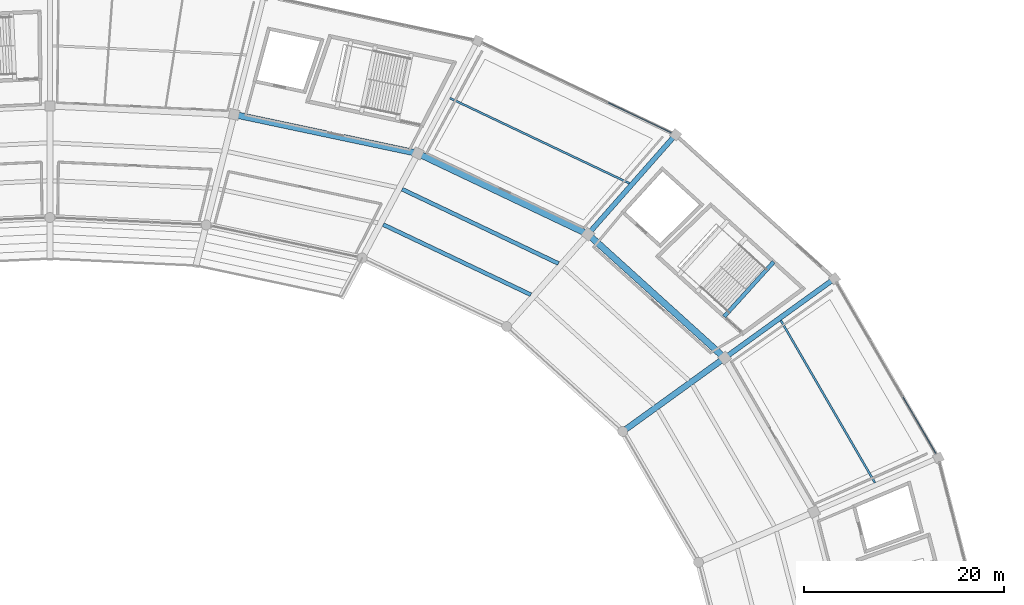
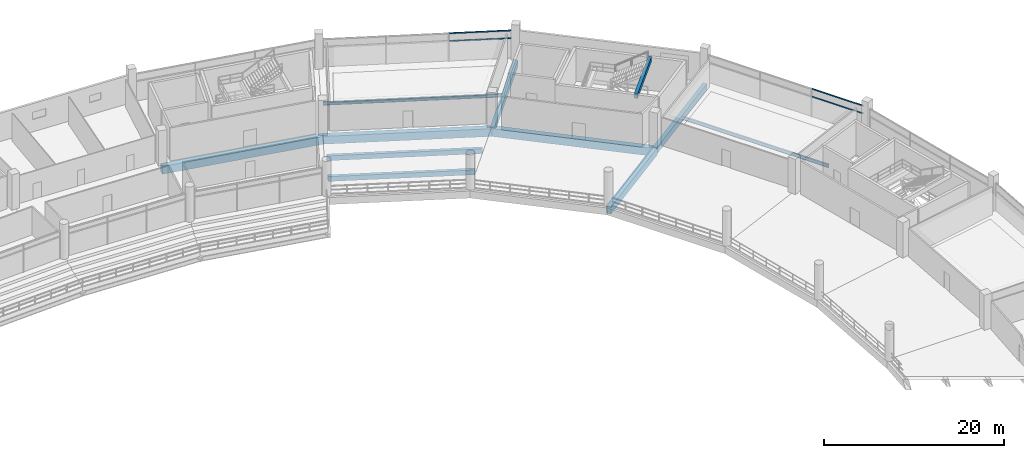
# One storey, part 112 of 171: 11 beams, 4 members, 2 elements without a shape of their own.
"""IFC4 building model written with IfcOpenShell, lengths in metres."""

from ifc_helpers import new_model, si_unit, direction, frame, origin, origin_2d, place, context, subcontext, project, spatial, rectangle, hollow_rectangle, i_section, extrude, material, layer, layer_set, material_profile, profile_set, type_object, element, aggregate, save


model = new_model("IFC4")

# Units and contexts
model_context = context("Model", 3, precision=1e-05, world=origin(), true_north=direction((0.0, 1.0)))
body_context = subcontext(model_context, "Body", "Model", "MODEL_VIEW")
ifc_project = project(units=[si_unit("LENGTHUNIT", "METRE"), si_unit("AREAUNIT", "SQUARE_METRE"), si_unit("VOLUMEUNIT", "CUBIC_METRE"), si_unit("PLANEANGLEUNIT", "RADIAN"), si_unit("MASSUNIT", "GRAM", prefix="KILO")], contexts=[model_context])

# Site, building, storey
site_placement = place(None, origin())
site = spatial("IfcSite", under=ifc_project, at=site_placement, CompositionType="ELEMENT")
building_placement = place(site_placement, origin())
building = spatial("IfcBuilding", under=site, at=building_placement, Name="Kazemori Nagisa Stadium", CompositionType="ELEMENT")
storey_placement = place(building_placement, frame((0.0, 0.0, 15.639892578125)))
storey = spatial("IfcBuildingStorey", under=building, at=storey_placement, Name="L03", CompositionType="ELEMENT", Elevation=15.639892578125)

# Beams
ifc_material_1 = material(Name="Concrete C40/50 (Fc42)", Category="concrete")
ifc_material_profile_1 = material_profile(ifc_material_1, rectangle(XDim=0.39990234375, YDim=0.60009765625, at=origin_2d()), Name="RC-BM-400x600")
ifc_profile_set_1 = profile_set([ifc_material_profile_1], Name="Concrete C40/50 (Fc42)")
beam_type_1 = type_object("IfcBeamType", Name="Beam_BG-LND400X600", PredefinedType="BEAM", material=ifc_profile_set_1)
beam_1_placement = place(storey_placement, frame((190.454345703125, 154.8681640625, 4.16015625), z_axis=(0.671129682405, 0.741339968837, 0.0), x_axis=(-0.741339968837, 0.671129682405, 0.0)))
element("IfcBeam", 1, at=beam_1_placement, inside=storey, type_object=beam_type_1, Name="Core stair arrival header girder ST01-L03", PredefinedType="BEAM", context=body_context, shape_type="SweptSolid", body=[
    extrude(rectangle(XDim=0.39990234375, YDim=0.60009765625, at=origin_2d()), origin(), (0.0, 0.0, 1.0), 7.3857421875),
])
ifc_material_profile_2 = material_profile(ifc_material_1, rectangle(XDim=0.5, YDim=0.85009765625, at=origin_2d()), Name="RC-BM-500x850")
ifc_profile_set_2 = profile_set([ifc_material_profile_2], Name="Concrete C40/50 (Fc42)")
beam_type_2 = type_object("IfcBeamType", Name="Beam_BG-RC500X850", PredefinedType="BEAM", material=ifc_profile_set_2)
beam_2_placement = place(storey_placement, frame((190.506103515625, 150.734130859375, -0.684814453125), z_axis=(0.810787509935, 0.585340596349, 0.0), x_axis=(-0.585340596349, 0.810787509935, 0.0)))
element("IfcBeam", 2, at=beam_2_placement, inside=storey, type_object=beam_type_2, Name="Radial girder BG-RC500X850 L03 R2-R3-04", PredefinedType="BEAM", context=body_context, shape_type="SweptSolid", body=[
    extrude(rectangle(XDim=0.5, YDim=0.85009765625, at=origin_2d()), origin(), (0.0, 0.0, 1.0), 13.5537109375),
])
beam_3_placement = place(storey_placement, frame((176.834228515625, 163.11083984375, -0.684814453125), z_axis=(0.661019680997, 0.750368563664, 0.0), x_axis=(-0.750368563664, 0.661019680997, 0.0)))
element("IfcBeam", 3, at=beam_3_placement, inside=storey, type_object=beam_type_2, Name="Radial girder BG-RC500X850 L03 R2-R3-05", PredefinedType="BEAM", context=body_context, shape_type="SweptSolid", body=[
    extrude(rectangle(XDim=0.5, YDim=0.85009765625, at=origin_2d()), origin(), (0.0, 0.0, 1.0), 13.2578125),
])
ifc_material_profile_3 = material_profile(ifc_material_1, rectangle(XDim=0.60009765625, YDim=0.949951171875, at=origin_2d()), Name="RC-BM-600x950")
ifc_profile_set_3 = profile_set([ifc_material_profile_3], Name="Concrete C40/50 (Fc42)")
beam_type_3 = type_object("IfcBeamType", Name="Beam_BG-RC600X950", PredefinedType="BEAM", material=ifc_profile_set_3)
beam_4_placement = place(storey_placement, frame((180.301513671875, 143.367431640625, -0.73486328125), z_axis=(0.810802996314, 0.585319144714, 0.0), x_axis=(-0.585319144714, 0.810802996314, 0.0)))
element("IfcBeam", 4, at=beam_4_placement, inside=storey, type_object=beam_type_3, Name="Radial girder BG-RC600X950 L03 R1-R2-04", PredefinedType="BEAM", context=body_context, shape_type="SweptSolid", body=[
    extrude(rectangle(XDim=0.60009765625, YDim=0.949951171875, at=origin_2d()), origin(), (0.0, 0.0, 1.0), 12.585693359375),
])
ifc_material_profile_4 = material_profile(ifc_material_1, rectangle(XDim=0.64990234375, YDim=1.050048828125, at=origin_2d()), Name="RC-BM-650x1050")
ifc_profile_set_4 = profile_set([ifc_material_profile_4], Name="Concrete C40/50 (Fc42)")
beam_type_4 = type_object("IfcBeamType", Name="Beam_BG-RC650X1050", PredefinedType="BEAM", material=ifc_profile_set_4)
beam_5_placement = place(storey_placement, frame((190.506103515625, 150.734130859375, -0.784912109375), z_axis=(-0.741349142139, 0.671119549298, 0.0), x_axis=(-0.671119549298, -0.741349142139, 0.0)))
element("IfcBeam", 5, at=beam_5_placement, inside=storey, type_object=beam_type_4, Name="Ring girder BG-RC650X1050 L03 R2-04", PredefinedType="BEAM", context=body_context, shape_type="SweptSolid", body=[
    extrude(rectangle(XDim=0.64990234375, YDim=1.050048828125, at=origin_2d()), origin(), (0.0, 0.0, 1.0), 18.44189453125),
])
beam_6_placement = place(storey_placement, frame((176.834228515625, 163.11083984375, -0.784912109375), z_axis=(-0.90321938295, 0.42917915404, 0.0), x_axis=(-0.42917915404, -0.90321938295, 0.0)))
element("IfcBeam", 6, at=beam_6_placement, inside=storey, type_object=beam_type_4, Name="Ring girder BG-RC650X1050 L03 R2-05", PredefinedType="BEAM", context=body_context, shape_type="SweptSolid", body=[
    extrude(rectangle(XDim=0.64990234375, YDim=1.050048828125, at=origin_2d()), origin(), (0.0, 0.0, 1.0), 18.84619140625),
])
beam_7_placement = place(storey_placement, frame((159.81201171875, 171.19921875, -0.784912109375), z_axis=(-0.978345149833, 0.206980114499, 0.0), x_axis=(-0.206980114499, -0.978345149833, 0.0)))
element("IfcBeam", 7, at=beam_7_placement, inside=storey, type_object=beam_type_4, Name="Ring girder BG-RC650X1050 L03 R2-06", PredefinedType="BEAM", context=body_context, shape_type="SweptSolid", body=[
    extrude(rectangle(XDim=0.64990234375, YDim=1.050048828125, at=origin_2d()), origin(), (0.0, 0.0, 1.0), 18.791259765625),
])
ifc_material_2 = material(Name="Steel SN490B", Category="steel")
ifc_material_profile_5 = material_profile(ifc_material_2, i_section(OverallWidth=0.199951171875, OverallDepth=0.449951171875, WebThickness=0.009033203125, FlangeThickness=0.013916015625, FilletRadius=0.012939453125, at=origin_2d()), Name="H-450x200x9x14")
ifc_profile_set_5 = profile_set([ifc_material_profile_5], Name="Steel SN490B")
beam_type_5 = type_object("IfcBeamType", Name="Beam_BJ-H450", PredefinedType="JOIST", material=ifc_profile_set_5)
beam_8_placement = place(storey_placement, frame((205.5400390625, 138.2490234375, -0.48486328125), z_axis=(-0.501610844533, 0.865093382616, 0.0), x_axis=(-0.865093382616, -0.501610844533, 0.0)))
element("IfcBeam", 8, at=beam_8_placement, inside=storey, type_object=beam_type_5, Name="Outer bay joist BJ-H450 L03 B03", PredefinedType="JOIST", context=body_context, shape_type="SweptSolid", body=[
    extrude(i_section(OverallWidth=0.199951171875, OverallDepth=0.449951171875, WebThickness=0.009033203125, FlangeThickness=0.013916015625, FilletRadius=0.012939453125, at=origin_2d()), origin(), (0.0, 0.0, 1.0), 18.7724609375),
])
beam_9_placement = place(storey_placement, frame((180.994873046875, 168.18994140625, -0.48486328125), z_axis=(-0.903215058486, 0.429188254876, 0.0), x_axis=(-0.429188254876, -0.903215058486, 0.0)))
element("IfcBeam", 9, at=beam_9_placement, inside=storey, type_object=beam_type_5, Name="Outer bay joist BJ-H450 L03 B05", PredefinedType="JOIST", context=body_context, shape_type="SweptSolid", body=[
    extrude(i_section(OverallWidth=0.199951171875, OverallDepth=0.449951171875, WebThickness=0.009033203125, FlangeThickness=0.013916015625, FilletRadius=0.012939453125, at=origin_2d()), origin(), (0.0, 0.0, 1.0), 19.89013671875),
])
ifc_material_profile_6 = material_profile(ifc_material_1, rectangle(XDim=0.39990234375, YDim=0.64990234375, at=origin_2d()), Name="RC-BM-400x650")
ifc_profile_set_6 = profile_set([ifc_material_profile_6], Name="Concrete C40/50 (Fc42)")
beam_type_6 = type_object("IfcBeamType", Name="Beam_BJ-RC400X650", PredefinedType="JOIST", material=ifc_profile_set_6)
beam_10_placement = place(storey_placement, frame((171.121826171875, 157.05517578125, -0.5849609375), z_axis=(-0.903215717065, 0.429186868912, 0.0), x_axis=(-0.429186868912, -0.903215717065, 0.0)))
element("IfcBeam", 10, at=beam_10_placement, inside=storey, type_object=beam_type_6, Name="Concourse joist BJ-RC400X650 L03 B05-1", PredefinedType="JOIST", context=body_context, shape_type="SweptSolid", body=[
    extrude(rectangle(XDim=0.39990234375, YDim=0.64990234375, at=origin_2d()), origin(), (0.0, 0.0, 1.0), 16.349609375),
])
beam_11_placement = place(storey_placement, frame((173.8759765625, 160.181884765625, -0.5849609375), z_axis=(-0.903215468459, 0.429187392099, 0.0), x_axis=(-0.429187392099, -0.903215468459, 0.0)))
element("IfcBeam", 11, at=beam_11_placement, inside=storey, type_object=beam_type_6, Name="Concourse joist BJ-RC400X650 L03 B05-2", PredefinedType="JOIST", context=body_context, shape_type="SweptSolid", body=[
    extrude(rectangle(XDim=0.39990234375, YDim=0.64990234375, at=origin_2d()), origin(), (0.0, 0.0, 1.0), 17.31396484375),
])

# Curtain wall, members
ifc_material_3 = material(Name="Anodised aluminium 6063-T5", Category="aluminium")
ifc_layer_1 = layer(ifc_material_3, 0.2099609375, Name="Anodised aluminium 6063-T5", Category="aluminium")
ifc_layer_set_1 = layer_set([ifc_layer_1], Name="Anodised aluminium 6063-T5")
curtain_wall_type_1 = type_object("IfcCurtainWallType", Name="CW_L03R3_99", PredefinedType="USERDEFINED", material=ifc_layer_set_1)
curtain_wall_1_placement = place(storey_placement, origin())
curtain_wall_1 = element("IfcCurtainWall", 12, at=curtain_wall_1_placement, inside=storey, type_object=curtain_wall_type_1, Name="Unitised curtain wall CW-L03R3-99 L03", ObjectType="UNITISED CURTAIN WALL", PredefinedType="USERDEFINED")
ifc_material_4 = material(Name="Aluminium 6063-T5 anodised", Category="aluminium")
ifc_material_profile_7 = material_profile(ifc_material_4, hollow_rectangle(XDim=0.080078125, YDim=0.159912109375, WallThickness=0.00390625, at=origin_2d()), Name="ALU-TRAN-80x160x4")
ifc_profile_set_7 = profile_set([ifc_material_profile_7], Name="Aluminium 6063-T5 anodised")
member_type = type_object("IfcMemberType", Name="Transom_T02", PredefinedType="USERDEFINED", material=ifc_profile_set_7)
member_1_placement = place(storey_placement, frame((211.63671875, 141.177734375, 2.705322265625), z_axis=(-0.501634382126, 0.865079734284, 0.0), x_axis=(-0.865079734284, -0.501634382126, 0.0)))
member_1 = element("IfcMember", 13, at=member_1_placement, type_object=member_type, Name="Curtain wall transom CW-L03R3-99-T1-mid", ObjectType="TRANSOM", PredefinedType="USERDEFINED", context=body_context, shape_type="SweptSolid", body=[
    extrude(hollow_rectangle(XDim=0.080078125, YDim=0.159912109375, WallThickness=0.00390625, at=origin_2d()), origin(), (0.0, 0.0, 1.0), 6.54736328125),
])
member_2_placement = place(storey_placement, frame((211.63671875, 141.177734375, 3.739990234375), z_axis=(-0.501634382126, 0.865079734284, 0.0), x_axis=(-0.865079734284, -0.501634382126, 0.0)))
member_2 = element("IfcMember", 14, at=member_2_placement, type_object=member_type, Name="Curtain wall transom CW-L03R3-99-T1-head", ObjectType="TRANSOM", PredefinedType="USERDEFINED", context=body_context, shape_type="SweptSolid", body=[
    extrude(hollow_rectangle(XDim=0.080078125, YDim=0.159912109375, WallThickness=0.00390625, at=origin_2d()), origin(), (0.0, 0.0, 1.0), 6.54736328125),
])
aggregate(curtain_wall_1, [member_1, member_2])

ifc_layer_2 = layer(ifc_material_3, 0.2099609375, Name="Anodised aluminium 6063-T5", Category="aluminium")
ifc_layer_set_2 = layer_set([ifc_layer_2], Name="Anodised aluminium 6063-T5")
curtain_wall_type_2 = type_object("IfcCurtainWallType", Name="CW_L03R3_105", PredefinedType="USERDEFINED", material=ifc_layer_set_2)
curtain_wall_2_placement = place(storey_placement, origin())
curtain_wall_2 = element("IfcCurtainWall", 15, at=curtain_wall_2_placement, inside=storey, type_object=curtain_wall_type_2, Name="Unitised curtain wall CW-L03R3-105 L03", ObjectType="UNITISED CURTAIN WALL", PredefinedType="USERDEFINED")
member_3_placement = place(storey_placement, frame((185.15087890625, 173.271484375, 2.705322265625), z_axis=(-0.903221322461, 0.429175072264, 0.0), x_axis=(-0.429175072264, -0.903221322461, 0.0)))
member_3 = element("IfcMember", 16, at=member_3_placement, type_object=member_type, Name="Curtain wall transom CW-L03R3-105-T1-mid", ObjectType="TRANSOM", PredefinedType="USERDEFINED", context=body_context, shape_type="SweptSolid", body=[
    extrude(hollow_rectangle(XDim=0.080078125, YDim=0.159912109375, WallThickness=0.00390625, at=origin_2d()), origin(), (0.0, 0.0, 1.0), 6.947998046875),
])
member_4_placement = place(storey_placement, frame((185.15087890625, 173.271484375, 3.739990234375), z_axis=(-0.903221322461, 0.429175072264, 0.0), x_axis=(-0.429175072264, -0.903221322461, 0.0)))
member_4 = element("IfcMember", 17, at=member_4_placement, type_object=member_type, Name="Curtain wall transom CW-L03R3-105-T1-head", ObjectType="TRANSOM", PredefinedType="USERDEFINED", context=body_context, shape_type="SweptSolid", body=[
    extrude(hollow_rectangle(XDim=0.080078125, YDim=0.159912109375, WallThickness=0.00390625, at=origin_2d()), origin(), (0.0, 0.0, 1.0), 6.947998046875),
])
aggregate(curtain_wall_2, [member_3, member_4])

save(model, "model.ifc")
